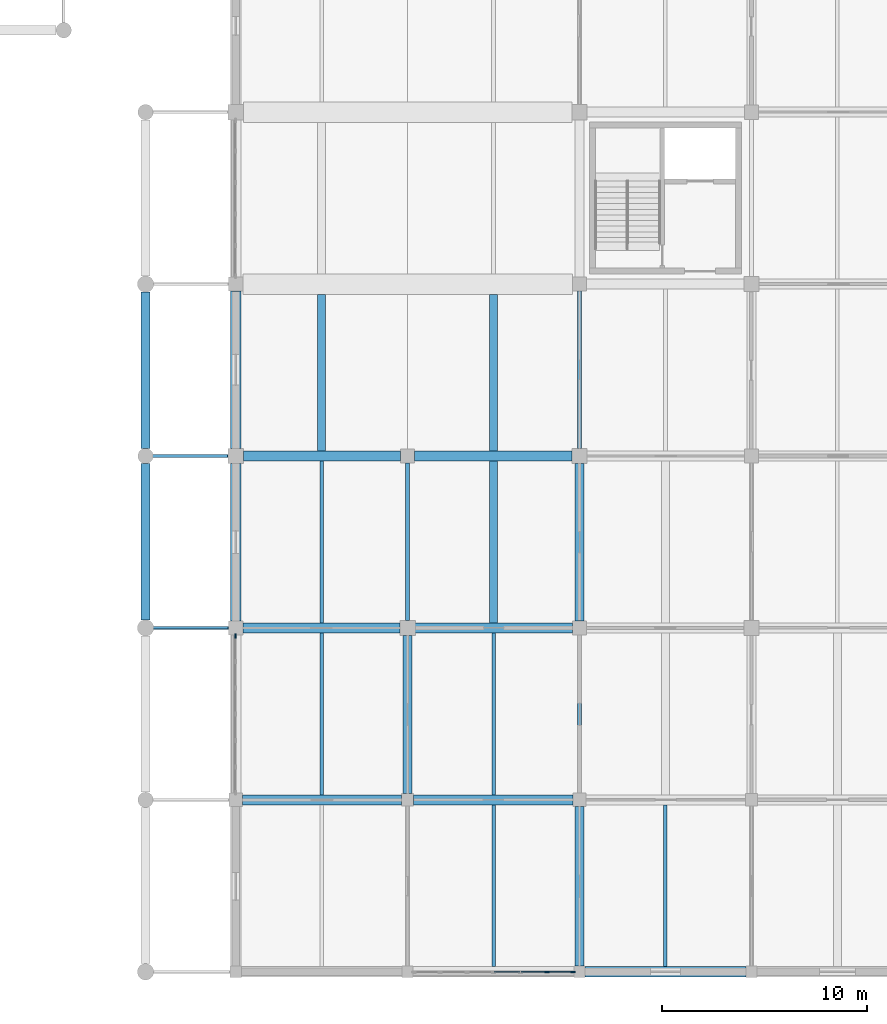
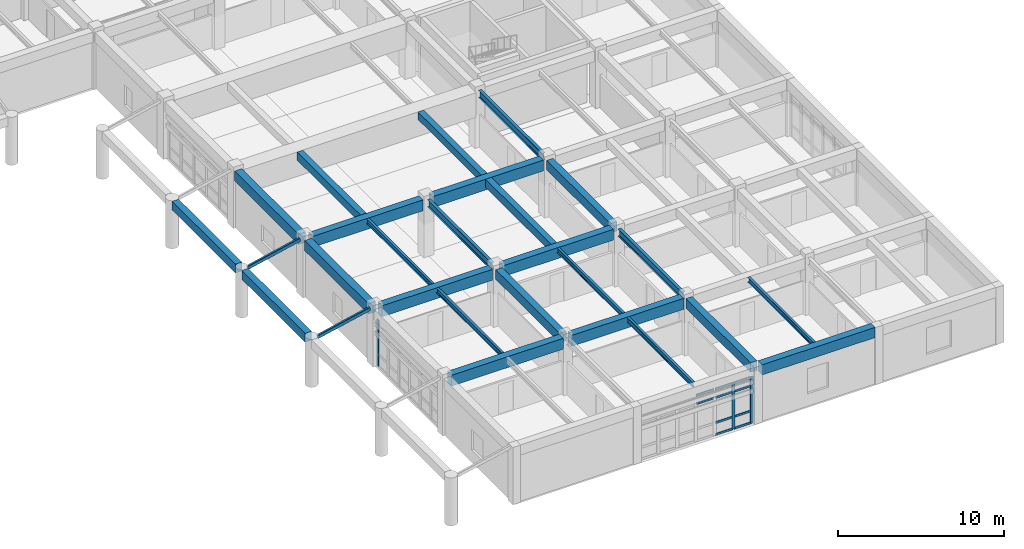
# One storey, part 45 of 99: 25 beams, 15 members, 2 elements without a shape of their own.
"""IFC4 building model written with IfcOpenShell, lengths in metres."""

from ifc_helpers import new_model, si_unit, direction, frame, origin, origin_2d, place, context, subcontext, project, spatial, rectangle, hollow_rectangle, i_section, extrude, material, layer, layer_set, material_profile, profile_set, type_object, element, aggregate, save


model = new_model("IFC4")

# Units and contexts
model_context = context("Model", 3, precision=1e-05, world=origin(), true_north=direction((0.0, 1.0)))
body_context = subcontext(model_context, "Body", "Model", "MODEL_VIEW")
ifc_project = project(units=[si_unit("LENGTHUNIT", "METRE"), si_unit("AREAUNIT", "SQUARE_METRE"), si_unit("VOLUMEUNIT", "CUBIC_METRE"), si_unit("PLANEANGLEUNIT", "RADIAN"), si_unit("MASSUNIT", "GRAM", prefix="KILO")], contexts=[model_context])

# Site, building, storey
site_placement = place(None, origin())
site = spatial("IfcSite", under=ifc_project, at=site_placement, CompositionType="ELEMENT")
building_placement = place(site_placement, origin())
building = spatial("IfcBuilding", under=site, at=building_placement, Name="Porcellanite Civic Hall", CompositionType="ELEMENT")
storey_placement = place(building_placement, frame((0.0, 0.0, 5.760009765625)))
storey = spatial("IfcBuildingStorey", under=building, at=storey_placement, Name="L01", CompositionType="ELEMENT", Elevation=5.760009765625)

# Beams
ifc_material_1 = material(Name="Concrete N50 (50 MPa)", Category="concrete")
ifc_material_profile_1 = material_profile(ifc_material_1, rectangle(XDim=0.39990234375, YDim=0.550048828125, at=origin_2d()), Name="RC-400x550")
ifc_profile_set_1 = profile_set([ifc_material_profile_1], Name="Concrete N50 (50 MPa)")
beam_type_1 = type_object("IfcBeamType", Name="BM-RC550", PredefinedType="JOIST", material=ifc_profile_set_1)
beam_1_placement = place(storey_placement, frame((155.39990234375, 25.449462890625, 3.925048828125), z_axis=(0.0, 1.0, 0.0), x_axis=(-1.0, 0.0, 0.0)))
element("IfcBeam", 1, at=beam_1_placement, inside=storey, type_object=beam_type_1, Name="Secondary joist L01 19-4", PredefinedType="JOIST", context=body_context, shape_type="SweptSolid", body=[
    extrude(rectangle(XDim=0.39990234375, YDim=0.550048828125, at=origin_2d()), origin(), (0.0, 0.0, 1.0), 7.651123046875),
])
ifc_material_2 = material(Name="Concrete N50 (50 MPa)", Category="concrete")
ifc_material_profile_2 = material_profile(ifc_material_2, rectangle(XDim=0.39990234375, YDim=0.60009765625, at=origin_2d()), Name="RC-400x600")
ifc_profile_set_2 = profile_set([ifc_material_profile_2], Name="Concrete N50 (50 MPa)")
beam_type_2 = type_object("IfcBeamType", Name="BM-RC600", PredefinedType="JOIST", material=ifc_profile_set_2)
beam_2_placement = place(storey_placement, frame((147.0, 25.449462890625, 3.89990234375), z_axis=(0.0, 1.0, 0.0), x_axis=(-1.0, 0.0, 0.0)))
element("IfcBeam", 2, at=beam_2_placement, inside=storey, type_object=beam_type_2, Name="Secondary joist L01 18-4", PredefinedType="JOIST", context=body_context, shape_type="SweptSolid", body=[
    extrude(rectangle(XDim=0.39990234375, YDim=0.60009765625, at=origin_2d()), origin(), (0.0, 0.0, 1.0), 7.651123046875),
])
beam_3_placement = place(storey_placement, frame((155.39990234375, 17.049560546875, 3.89990234375), z_axis=(0.0, 1.0, 0.0), x_axis=(-1.0, 0.0, 0.0)))
element("IfcBeam", 3, at=beam_3_placement, inside=storey, type_object=beam_type_2, Name="Secondary joist L01 19-3", PredefinedType="JOIST", context=body_context, shape_type="SweptSolid", body=[
    extrude(rectangle(XDim=0.39990234375, YDim=0.60009765625, at=origin_2d()), origin(), (0.0, 0.0, 1.0), 7.90087890625),
])
ifc_material_3 = material(Name="Concrete N50 (50 MPa)", Category="concrete")
ifc_material_profile_3 = material_profile(ifc_material_3, rectangle(XDim=0.449951171875, YDim=0.64990234375, at=origin_2d()), Name="RC-450x650")
ifc_profile_set_3 = profile_set([ifc_material_profile_3], Name="Concrete N50 (50 MPa)")
beam_type_3 = type_object("IfcBeamType", Name="BM-RC650", PredefinedType="SPANDREL", material=ifc_profile_set_3)
for number, where, z_axis, x_axis, name in (
    (4, (138.39990234375, 17.199462890625, 3.205078125), (0.0, 1.0, 0.0), (-1.0, 0.0, 0.0), "Colonnade keystone beam L01 COL-E-P03"),
    (5, (138.39990234375, 25.574462890625, 3.205078125), (0.0, 1.0, 0.0), (-1.0, 0.0, 0.0), "Colonnade keystone beam L01 COL-E-P04"),
):
    element("IfcBeam", number, at=place(storey_placement, frame(where, z_axis=z_axis, x_axis=x_axis)), inside=storey, type_object=beam_type_3, Name=name, PredefinedType="SPANDREL", context=body_context, shape_type="SweptSolid", body=[
        extrude(rectangle(XDim=0.449951171875, YDim=0.64990234375, at=origin_2d()), origin(), (0.0, 0.0, 1.0), 7.6259765625),
    ])
ifc_material_4 = material(Name="Concrete N50 (50 MPa)", Category="concrete")
ifc_material_profile_4 = material_profile(ifc_material_4, rectangle(XDim=0.449951171875, YDim=0.699951171875, at=origin_2d()), Name="RC-450x700")
ifc_profile_set_4 = profile_set([ifc_material_profile_4], Name="Concrete N50 (50 MPa)")
beam_type_4 = type_object("IfcBeamType", Name="BM-RC700", PredefinedType="BEAM", material=ifc_profile_set_4)
beam_4_placement = place(storey_placement, frame((151.199951171875, 8.699462890625, 3.85009765625), z_axis=(0.0, 1.0, 0.0), x_axis=(-1.0, 0.0, 0.0)))
element("IfcBeam", 6, at=beam_4_placement, inside=storey, type_object=beam_type_4, Name="Beam Y L01 19-2", PredefinedType="BEAM", context=body_context, shape_type="SweptSolid", body=[
    extrude(rectangle(XDim=0.449951171875, YDim=0.699951171875, at=origin_2d()), origin(), (0.0, 0.0, 1.0), 7.72607421875),
])
beam_5_placement = place(storey_placement, frame((159.60009765625, 0.2744140625, 3.85009765625), z_axis=(0.0, 1.0, 0.0), x_axis=(-1.0, 0.0, 0.0)))
element("IfcBeam", 7, at=beam_5_placement, inside=storey, type_object=beam_type_4, Name="Beam Y L01 20-1", PredefinedType="BEAM", context=body_context, shape_type="SweptSolid", body=[
    extrude(rectangle(XDim=0.449951171875, YDim=0.699951171875, at=origin_2d()), origin(), (0.0, 0.0, 1.0), 7.801025390625),
])
beam_6_placement = place(storey_placement, frame((159.60009765625, 17.1494140625, 3.85009765625), z_axis=(0.0, 1.0, 0.0), x_axis=(-1.0, 0.0, 0.0)))
element("IfcBeam", 8, at=beam_6_placement, inside=storey, type_object=beam_type_4, Name="Beam Y L01 20-3", PredefinedType="BEAM", context=body_context, shape_type="SweptSolid", body=[
    extrude(rectangle(XDim=0.449951171875, YDim=0.699951171875, at=origin_2d()), origin(), (0.0, 0.0, 1.0), 7.676025390625),
])
ifc_material_5 = material(Name="Concrete N50 (50 MPa)", Category="concrete")
ifc_material_profile_5 = material_profile(ifc_material_5, rectangle(XDim=0.5, YDim=0.75, at=origin_2d()), Name="RC-500x750")
ifc_profile_set_5 = profile_set([ifc_material_profile_5], Name="Concrete N50 (50 MPa)")
beam_type_5 = type_object("IfcBeamType", Name="BM-RC750", PredefinedType="SPANDREL", material=ifc_profile_set_5)
beam_7_placement = place(storey_placement, frame((159.87451171875, 0.0, 3.824951171875), z_axis=(1.0, 0.0, 0.0), x_axis=(0.0, 1.0, 0.0)))
element("IfcBeam", 9, at=beam_7_placement, inside=storey, type_object=beam_type_5, Name="Beam X L01 20-1", PredefinedType="SPANDREL", context=body_context, shape_type="SweptSolid", body=[
    extrude(rectangle(XDim=0.5, YDim=0.75, at=origin_2d()), origin(), (0.0, 0.0, 1.0), 7.85107421875),
])
for number, where, z_axis, x_axis, name in (
    (10, (142.800048828125, 17.1494140625, 3.824951171875), (0.0, 1.0, 0.0), (-1.0, 0.0, 0.0), "Beam Y L01 18-3"),
    (11, (142.800048828125, 25.574462890625, 3.824951171875), (0.0, 1.0, 0.0), (-1.0, 0.0, 0.0), "Beam Y L01 18-4"),
):
    element("IfcBeam", number, at=place(storey_placement, frame(where, z_axis=z_axis, x_axis=x_axis)), inside=storey, type_object=beam_type_5, Name=name, PredefinedType="SPANDREL", context=body_context, shape_type="SweptSolid", body=[
        extrude(rectangle(XDim=0.5, YDim=0.75, at=origin_2d()), origin(), (0.0, 0.0, 1.0), 7.676025390625),
    ])
ifc_material_6 = material(Name="Concrete N50 (50 MPa)", Category="concrete")
ifc_material_profile_6 = material_profile(ifc_material_6, rectangle(XDim=0.5, YDim=0.800048828125, at=origin_2d()), Name="RC-500x800")
ifc_profile_set_6 = profile_set([ifc_material_profile_6], Name="Concrete N50 (50 MPa)")
beam_type_6 = type_object("IfcBeamType", Name="BM-RC800", PredefinedType="BEAM", material=ifc_profile_set_6)
beam_8_placement = place(storey_placement, frame((143.12451171875, 8.39990234375, 3.800048828125), z_axis=(1.0, 0.0, 0.0), x_axis=(0.0, 1.0, 0.0)))
element("IfcBeam", 12, at=beam_8_placement, inside=storey, type_object=beam_type_6, Name="Beam X L01 18-2", PredefinedType="BEAM", context=body_context, shape_type="SweptSolid", body=[
    extrude(rectangle(XDim=0.5, YDim=0.800048828125, at=origin_2d()), origin(), (0.0, 0.0, 1.0), 7.77587890625),
])
for number, where, z_axis, x_axis, name in (
    (13, (143.1494140625, 16.800048828125, 3.800048828125), (1.0, 0.0, 0.0), (0.0, 1.0, 0.0), "Beam X L01 18-3"),
    (14, (143.174560546875, 25.199951171875, 3.800048828125), (1.0, 0.0, 0.0), (0.0, 1.0, 0.0), "Beam X L01 18-4"),
):
    element("IfcBeam", number, at=place(storey_placement, frame(where, z_axis=z_axis, x_axis=x_axis)), inside=storey, type_object=beam_type_6, Name=name, PredefinedType="BEAM", context=body_context, shape_type="SweptSolid", body=[
        extrude(rectangle(XDim=0.5, YDim=0.800048828125, at=origin_2d()), origin(), (0.0, 0.0, 1.0), 7.676025390625),
    ])
beam_9_placement = place(storey_placement, frame((151.49951171875, 8.39990234375, 3.800048828125), z_axis=(1.0, 0.0, 0.0), x_axis=(0.0, 1.0, 0.0)))
element("IfcBeam", 15, at=beam_9_placement, inside=storey, type_object=beam_type_6, Name="Beam X L01 19-2", PredefinedType="BEAM", context=body_context, shape_type="SweptSolid", body=[
    extrude(rectangle(XDim=0.5, YDim=0.800048828125, at=origin_2d()), origin(), (0.0, 0.0, 1.0), 7.77587890625),
])
for number, where, z_axis, x_axis, name in (
    (16, (151.574462890625, 16.800048828125, 3.800048828125), (1.0, 0.0, 0.0), (0.0, 1.0, 0.0), "Beam X L01 19-3"),
    (17, (151.549560546875, 25.199951171875, 3.800048828125), (1.0, 0.0, 0.0), (0.0, 1.0, 0.0), "Beam X L01 19-4"),
):
    element("IfcBeam", number, at=place(storey_placement, frame(where, z_axis=z_axis, x_axis=x_axis)), inside=storey, type_object=beam_type_6, Name=name, PredefinedType="BEAM", context=body_context, shape_type="SweptSolid", body=[
        extrude(rectangle(XDim=0.5, YDim=0.800048828125, at=origin_2d()), origin(), (0.0, 0.0, 1.0), 7.676025390625),
    ])

# Curtain wall, member
ifc_material_7 = material(Name="Anodised aluminium and solar laminated glass", Category="aluminium")
ifc_layer = layer(ifc_material_7, 0.179931640625)
ifc_layer_set = layer_set([ifc_layer], Name="Anodised aluminium and solar laminated glass")
curtain_wall_type = type_object("IfcCurtainWallType", Name="CW-SYS02", PredefinedType="NOTDEFINED", material=ifc_layer_set)
curtain_wall_1_placement = place(storey_placement, origin())
curtain_wall_1 = element("IfcCurtainWall", 18, at=curtain_wall_1_placement, inside=storey, type_object=curtain_wall_type, Name="Curtain wall CW-119", PredefinedType="NOTDEFINED")
ifc_material_8 = material(Name="Anodised aluminium 6063-T6", Category="aluminium")
ifc_material_profile_7 = material_profile(ifc_material_8, rectangle(XDim=0.074951171875, YDim=0.219970703125, at=origin_2d()), Name="AL-75x220")
ifc_profile_set_7 = profile_set([ifc_material_profile_7], Name="Anodised aluminium 6063-T6")
member_type_1 = type_object("IfcMemberType", Name="CWM-03", PredefinedType="MULLION", material=ifc_profile_set_7)
member_1_placement = place(storey_placement, frame((142.800048828125, 16.41162109375, 0.0), z_axis=(0.0, 0.0, 1.0), x_axis=(-1.0, 0.0, 0.0)))
member_1 = element("IfcMember", 19, at=member_1_placement, type_object=member_type_1, Name="CW-119 mullion 7", PredefinedType="MULLION", context=body_context, shape_type="SweptSolid", body=[
    extrude(rectangle(XDim=0.074951171875, YDim=0.219970703125, at=origin_2d()), origin(), (0.0, 0.0, 1.0), 3.39990234375),
])
aggregate(curtain_wall_1, [member_1])

# Curtain wall, members
curtain_wall_2_placement = place(storey_placement, origin())
curtain_wall_2 = element("IfcCurtainWall", 20, at=curtain_wall_2_placement, inside=storey, type_object=curtain_wall_type, Name="Curtain wall CW-123", PredefinedType="NOTDEFINED")
member_2_placement = place(storey_placement, frame((159.28662109375, 0.0, 0.0), z_axis=(0.0, 0.0, 1.0), x_axis=(0.0, -1.0, 0.0)))
member_2 = element("IfcMember", 21, at=member_2_placement, type_object=member_type_1, Name="CW-123 mullion 1", PredefinedType="MULLION", context=body_context, shape_type="SweptSolid", body=[
    extrude(rectangle(XDim=0.074951171875, YDim=0.219970703125, at=origin_2d()), origin(), (0.0, 0.0, 1.0), 3.39990234375),
])
member_3_placement = place(storey_placement, frame((158.01611328125, 0.0, 0.0), z_axis=(0.0, 0.0, 1.0), x_axis=(0.0, -1.0, 0.0)))
member_3 = element("IfcMember", 22, at=member_3_placement, type_object=member_type_1, Name="CW-123 mullion 2", PredefinedType="MULLION", context=body_context, shape_type="SweptSolid", body=[
    extrude(rectangle(XDim=0.074951171875, YDim=0.219970703125, at=origin_2d()), origin(), (0.0, 0.0, 1.0), 3.39990234375),
])
ifc_material_9 = material(Name="Anodised aluminium 6063-T6", Category="aluminium")
ifc_material_profile_8 = material_profile(ifc_material_9, rectangle(XDim=0.06494140625, YDim=0.14990234375, at=origin_2d()), Name="AL-65x150")
ifc_profile_set_8 = profile_set([ifc_material_profile_8], Name="Anodised aluminium 6063-T6")
member_type_2 = type_object("IfcMemberType", Name="CWT-02", PredefinedType="USERDEFINED", material=ifc_profile_set_8)
member_4_placement = place(storey_placement, frame((159.2490234375, 0.0, 0.032470703125), z_axis=(-1.0, 0.0, 0.0), x_axis=(0.0, -1.0, 0.0)))
member_4 = element("IfcMember", 23, at=member_4_placement, type_object=member_type_2, Name="CW-123 transom 1.1", ObjectType="TRANSOM", PredefinedType="USERDEFINED", context=body_context, shape_type="SweptSolid", body=[
    extrude(rectangle(XDim=0.06494140625, YDim=0.14990234375, at=origin_2d()), origin(), (0.0, 0.0, 1.0), 1.195556640625),
])
member_5_placement = place(storey_placement, frame((159.2490234375, 0.0, 0.89990234375), z_axis=(-1.0, 0.0, 0.0), x_axis=(0.0, -1.0, 0.0)))
member_5 = element("IfcMember", 24, at=member_5_placement, type_object=member_type_2, Name="CW-123 transom 1.2", ObjectType="TRANSOM", PredefinedType="USERDEFINED", context=body_context, shape_type="SweptSolid", body=[
    extrude(rectangle(XDim=0.06494140625, YDim=0.14990234375, at=origin_2d()), origin(), (0.0, 0.0, 1.0), 1.195556640625),
])
member_6_placement = place(storey_placement, frame((159.2490234375, 0.0, 2.75), z_axis=(-1.0, 0.0, 0.0), x_axis=(0.0, -1.0, 0.0)))
member_6 = element("IfcMember", 25, at=member_6_placement, type_object=member_type_2, Name="CW-123 transom 1.3", ObjectType="TRANSOM", PredefinedType="USERDEFINED", context=body_context, shape_type="SweptSolid", body=[
    extrude(rectangle(XDim=0.06494140625, YDim=0.14990234375, at=origin_2d()), origin(), (0.0, 0.0, 1.0), 1.195556640625),
])
member_7_placement = place(storey_placement, frame((159.2490234375, 0.0, 3.367431640625), z_axis=(-1.0, 0.0, 0.0), x_axis=(0.0, -1.0, 0.0)))
member_7 = element("IfcMember", 26, at=member_7_placement, type_object=member_type_2, Name="CW-123 transom 1.4", ObjectType="TRANSOM", PredefinedType="USERDEFINED", context=body_context, shape_type="SweptSolid", body=[
    extrude(rectangle(XDim=0.06494140625, YDim=0.14990234375, at=origin_2d()), origin(), (0.0, 0.0, 1.0), 1.195556640625),
])
member_8_placement = place(storey_placement, frame((157.978515625, 0.0, 0.032470703125), z_axis=(-1.0, 0.0, 0.0), x_axis=(0.0, -1.0, 0.0)))
member_8 = element("IfcMember", 27, at=member_8_placement, type_object=member_type_2, Name="CW-123 transom 2.1", ObjectType="TRANSOM", PredefinedType="USERDEFINED", context=body_context, shape_type="SweptSolid", body=[
    extrude(rectangle(XDim=0.06494140625, YDim=0.14990234375, at=origin_2d()), origin(), (0.0, 0.0, 1.0), 1.23291015625),
])
member_9_placement = place(storey_placement, frame((157.978515625, 0.0, 0.89990234375), z_axis=(-1.0, 0.0, 0.0), x_axis=(0.0, -1.0, 0.0)))
member_9 = element("IfcMember", 28, at=member_9_placement, type_object=member_type_2, Name="CW-123 transom 2.2", ObjectType="TRANSOM", PredefinedType="USERDEFINED", context=body_context, shape_type="SweptSolid", body=[
    extrude(rectangle(XDim=0.06494140625, YDim=0.14990234375, at=origin_2d()), origin(), (0.0, 0.0, 1.0), 1.23291015625),
])
member_10_placement = place(storey_placement, frame((157.978515625, 0.0, 2.75), z_axis=(-1.0, 0.0, 0.0), x_axis=(0.0, -1.0, 0.0)))
member_10 = element("IfcMember", 29, at=member_10_placement, type_object=member_type_2, Name="CW-123 transom 2.3", ObjectType="TRANSOM", PredefinedType="USERDEFINED", context=body_context, shape_type="SweptSolid", body=[
    extrude(rectangle(XDim=0.06494140625, YDim=0.14990234375, at=origin_2d()), origin(), (0.0, 0.0, 1.0), 1.23291015625),
])
member_11_placement = place(storey_placement, frame((157.978515625, 0.0, 3.367431640625), z_axis=(-1.0, 0.0, 0.0), x_axis=(0.0, -1.0, 0.0)))
member_11 = element("IfcMember", 30, at=member_11_placement, type_object=member_type_2, Name="CW-123 transom 2.4", ObjectType="TRANSOM", PredefinedType="USERDEFINED", context=body_context, shape_type="SweptSolid", body=[
    extrude(rectangle(XDim=0.06494140625, YDim=0.14990234375, at=origin_2d()), origin(), (0.0, 0.0, 1.0), 1.23291015625),
])
member_12_placement = place(storey_placement, frame((156.67041015625, 0.0, 2.75), z_axis=(-1.0, 0.0, 0.0), x_axis=(0.0, -1.0, 0.0)))
member_12 = element("IfcMember", 31, at=member_12_placement, type_object=member_type_2, Name="CW-123 transom 3.3", ObjectType="TRANSOM", PredefinedType="USERDEFINED", context=body_context, shape_type="SweptSolid", body=[
    extrude(rectangle(XDim=0.06494140625, YDim=0.14990234375, at=origin_2d()), origin(), (0.0, 0.0, 1.0), 1.23291015625),
])
member_13_placement = place(storey_placement, frame((156.67041015625, 0.0, 3.367431640625), z_axis=(-1.0, 0.0, 0.0), x_axis=(0.0, -1.0, 0.0)))
member_13 = element("IfcMember", 32, at=member_13_placement, type_object=member_type_2, Name="CW-123 transom 3.4", ObjectType="TRANSOM", PredefinedType="USERDEFINED", context=body_context, shape_type="SweptSolid", body=[
    extrude(rectangle(XDim=0.06494140625, YDim=0.14990234375, at=origin_2d()), origin(), (0.0, 0.0, 1.0), 1.23291015625),
])
aggregate(curtain_wall_2, [member_2, member_3, member_4, member_5, member_6, member_7, member_8, member_9, member_10, member_11, member_12, member_13])

# Beams
ifc_material_10 = material(Name="Steel Grade 350", Category="steel")
ifc_material_profile_9 = material_profile(ifc_material_10, i_section(OverallWidth=0.1708984375, OverallDepth=0.35595703125, WebThickness=0.00732421875, FlangeThickness=0.011474609375, FilletRadius=0.011474609375, at=origin_2d()), Name="360UB50.7")
ifc_profile_set_9 = profile_set([ifc_material_profile_9], Name="Steel Grade 350")
beam_type_7 = type_object("IfcBeamType", Name="JST-360UB51", PredefinedType="JOIST", material=ifc_profile_set_9)
beam_10_placement = place(storey_placement, frame((147.0, 17.049560546875, 4.02197265625), z_axis=(0.0, 1.0, 0.0), x_axis=(-1.0, 0.0, 0.0)))
element("IfcBeam", 33, at=beam_10_placement, inside=storey, type_object=beam_type_7, Name="Secondary joist L01 18-3", PredefinedType="JOIST", context=body_context, shape_type="SweptSolid", body=[
    extrude(i_section(OverallWidth=0.1708984375, OverallDepth=0.35595703125, WebThickness=0.00732421875, FlangeThickness=0.011474609375, FilletRadius=0.011474609375, at=origin_2d()), origin(), (0.0, 0.0, 1.0), 7.90087890625),
])
beam_11_placement = place(storey_placement, frame((155.39990234375, 8.6494140625, 4.02197265625), z_axis=(0.0, 1.0, 0.0), x_axis=(-1.0, 0.0, 0.0)))
element("IfcBeam", 34, at=beam_11_placement, inside=storey, type_object=beam_type_7, Name="Secondary joist L01 19-2", PredefinedType="JOIST", context=body_context, shape_type="SweptSolid", body=[
    extrude(i_section(OverallWidth=0.1708984375, OverallDepth=0.35595703125, WebThickness=0.00732421875, FlangeThickness=0.011474609375, FilletRadius=0.011474609375, at=origin_2d()), origin(), (0.0, 0.0, 1.0), 7.901123046875),
])
beam_12_placement = place(storey_placement, frame((163.800048828125, 0.24951171875, 4.02197265625), z_axis=(0.0, 1.0, 0.0), x_axis=(-1.0, 0.0, 0.0)))
element("IfcBeam", 35, at=beam_12_placement, inside=storey, type_object=beam_type_7, Name="Secondary joist L01 20-1", PredefinedType="JOIST", context=body_context, shape_type="SweptSolid", body=[
    extrude(i_section(OverallWidth=0.1708984375, OverallDepth=0.35595703125, WebThickness=0.00732421875, FlangeThickness=0.011474609375, FilletRadius=0.011474609375, at=origin_2d()), origin(), (0.0, 0.0, 1.0), 7.90087890625),
])
ifc_material_11 = material(Name="Steel Grade 350", Category="steel")
ifc_material_profile_10 = material_profile(ifc_material_11, i_section(OverallWidth=0.172119140625, OverallDepth=0.35888671875, WebThickness=0.008056640625, FlangeThickness=0.012939453125, FilletRadius=0.011474609375, at=origin_2d()), Name="360UB56.7")
ifc_profile_set_10 = profile_set([ifc_material_profile_10], Name="Steel Grade 350")
beam_type_8 = type_object("IfcBeamType", Name="JST-360UB57", PredefinedType="JOIST", material=ifc_profile_set_10)
beam_13_placement = place(storey_placement, frame((147.0, 8.6494140625, 4.0205078125), z_axis=(0.0, 1.0, 0.0), x_axis=(-1.0, 0.0, 0.0)))
element("IfcBeam", 36, at=beam_13_placement, inside=storey, type_object=beam_type_8, Name="Secondary joist L01 18-2", PredefinedType="JOIST", context=body_context, shape_type="SweptSolid", body=[
    extrude(i_section(OverallWidth=0.172119140625, OverallDepth=0.35888671875, WebThickness=0.008056640625, FlangeThickness=0.012939453125, FilletRadius=0.011474609375, at=origin_2d()), origin(), (0.0, 0.0, 1.0), 7.901123046875),
])
beam_14_placement = place(storey_placement, frame((155.39990234375, 0.24951171875, 4.0205078125), z_axis=(0.0, 1.0, 0.0), x_axis=(-1.0, 0.0, 0.0)))
element("IfcBeam", 37, at=beam_14_placement, inside=storey, type_object=beam_type_8, Name="Secondary joist L01 19-1", PredefinedType="JOIST", context=body_context, shape_type="SweptSolid", body=[
    extrude(i_section(OverallWidth=0.172119140625, OverallDepth=0.35888671875, WebThickness=0.008056640625, FlangeThickness=0.012939453125, FilletRadius=0.011474609375, at=origin_2d()), origin(), (0.0, 0.0, 1.0), 7.90087890625),
])
ifc_material_12 = material(Name="Steel Grade 350", Category="steel")
ifc_material_profile_11 = material_profile(ifc_material_12, i_section(OverallWidth=0.208984375, OverallDepth=0.528076171875, WebThickness=0.009521484375, FlangeThickness=0.01318359375, FilletRadius=0.013916015625, at=origin_2d()), Name="530UB82.0")
ifc_profile_set_11 = profile_set([ifc_material_profile_11], Name="Steel Grade 350")
beam_type_9 = type_object("IfcBeamType", Name="RAF-530UB82", PredefinedType="BEAM", material=ifc_profile_set_11)
beam_15_placement = place(storey_placement, frame((151.199951171875, 17.174560546875, 3.93603515625), z_axis=(0.0, 1.0, 0.0), x_axis=(-1.0, 0.0, 0.0)))
element("IfcBeam", 38, at=beam_15_placement, inside=storey, type_object=beam_type_9, Name="Beam Y L01 19-3", PredefinedType="BEAM", context=body_context, shape_type="SweptSolid", body=[
    extrude(i_section(OverallWidth=0.208984375, OverallDepth=0.528076171875, WebThickness=0.009521484375, FlangeThickness=0.01318359375, FilletRadius=0.013916015625, at=origin_2d()), origin(), (0.0, 0.0, 1.0), 7.676025390625),
])
beam_16_placement = place(storey_placement, frame((159.60009765625, 8.724609375, 3.93603515625), z_axis=(0.0, 1.0, 0.0), x_axis=(-1.0, 0.0, 0.0)))
element("IfcBeam", 39, at=beam_16_placement, inside=storey, type_object=beam_type_9, Name="Beam Y L01 20-2", PredefinedType="BEAM", context=body_context, shape_type="SweptSolid", body=[
    extrude(i_section(OverallWidth=0.208984375, OverallDepth=0.528076171875, WebThickness=0.009521484375, FlangeThickness=0.01318359375, FilletRadius=0.013916015625, at=origin_2d()), origin(), (0.0, 0.0, 1.0), 7.725830078125),
])
beam_17_placement = place(storey_placement, frame((159.60009765625, 25.574462890625, 3.93603515625), z_axis=(0.0, 1.0, 0.0), x_axis=(-1.0, 0.0, 0.0)))
element("IfcBeam", 40, at=beam_17_placement, inside=storey, type_object=beam_type_9, Name="Beam Y L01 20-4", PredefinedType="BEAM", context=body_context, shape_type="SweptSolid", body=[
    extrude(i_section(OverallWidth=0.208984375, OverallDepth=0.528076171875, WebThickness=0.009521484375, FlangeThickness=0.01318359375, FilletRadius=0.013916015625, at=origin_2d()), origin(), (0.0, 0.0, 1.0), 7.676025390625),
])

# Members
ifc_material_13 = material(Name="Steel C350L0", Category="steel")
ifc_material_profile_12 = material_profile(ifc_material_13, hollow_rectangle(XDim=0.14990234375, YDim=0.25, WallThickness=0.008056640625, InnerFilletRadius=0.011962890625, OuterFilletRadius=0.02001953125, at=origin_2d()), Name="250x150x8.0RHS")
ifc_profile_set_12 = profile_set([ifc_material_profile_12], Name="Steel C350L0")
member_type_3 = type_object("IfcMemberType", Name="STR-250RHS", PredefinedType="STRUT", material=ifc_profile_set_12)
member_14_placement = place(storey_placement, frame((142.450439453125, 16.800048828125, 4.11865234375), z_axis=(-0.976299069463, 0.0, -0.216425800138), x_axis=(0.0, -1.0, 0.0)))
element("IfcMember", 41, at=member_14_placement, inside=storey, type_object=member_type_3, Name="Colonnade raker COL-E-P03", PredefinedType="STRUT", context=body_context, shape_type="SweptSolid", body=[
    extrude(hollow_rectangle(XDim=0.14990234375, YDim=0.25, WallThickness=0.008056640625, InnerFilletRadius=0.011962890625, OuterFilletRadius=0.02001953125, at=origin_2d()), origin(), (0.0, 0.0, 1.0), 3.739501953125),
])
member_15_placement = place(storey_placement, frame((142.425537109375, 25.199951171875, 4.113037109375), z_axis=(-0.976302127214, 0.0, -0.216412006133), x_axis=(0.0, -1.0, 0.0)))
element("IfcMember", 42, at=member_15_placement, inside=storey, type_object=member_type_3, Name="Colonnade raker COL-E-P04", PredefinedType="STRUT", context=body_context, shape_type="SweptSolid", body=[
    extrude(hollow_rectangle(XDim=0.14990234375, YDim=0.25, WallThickness=0.008056640625, InnerFilletRadius=0.011962890625, OuterFilletRadius=0.02001953125, at=origin_2d()), origin(), (0.0, 0.0, 1.0), 3.73974609375),
])

save(model, "model.ifc")
